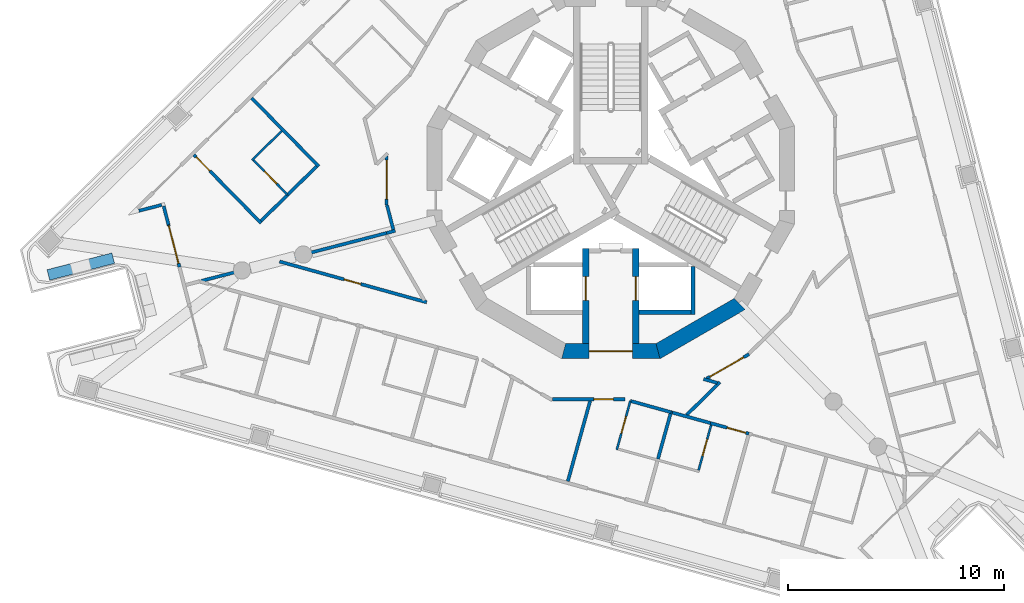
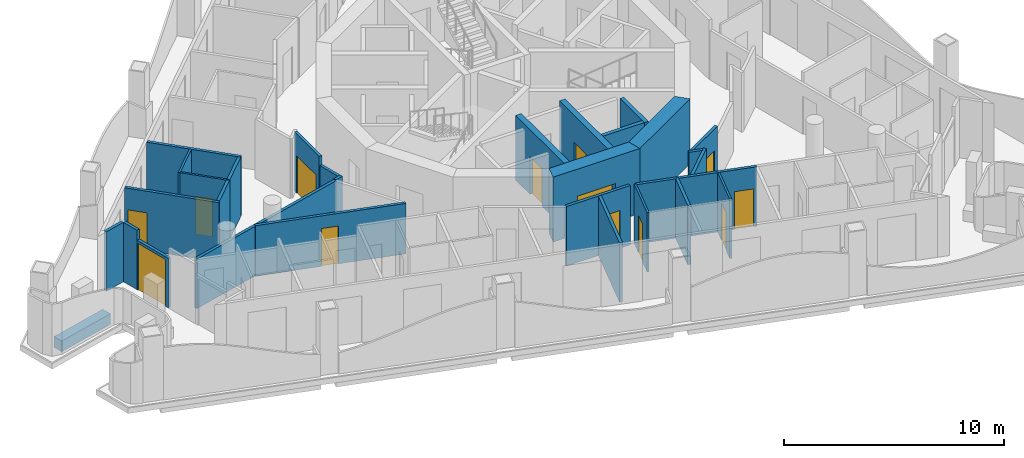
# One storey, part 3 of 15: 32 walls, 13 doors, 13 openings.
"""IFC4 building model written with IfcOpenShell, lengths in metres."""

from ifc_helpers import new_model, si_unit, direction, frame, frame_2d, origin, place, context, subcontext, project, spatial, polyline, rectangle, outline, extrude, material, layer, layer_set, type_object, element, fill, save


model = new_model("IFC4")

# Units and contexts
model_context = context("Model", 3, precision=1e-05, world=origin(), true_north=direction((0.0, 1.0)))
body_context = subcontext(model_context, "Body", "Model", "MODEL_VIEW")
ifc_project = project(units=[si_unit("LENGTHUNIT", "METRE"), si_unit("AREAUNIT", "SQUARE_METRE"), si_unit("VOLUMEUNIT", "CUBIC_METRE"), si_unit("PLANEANGLEUNIT", "RADIAN"), si_unit("MASSUNIT", "GRAM", prefix="KILO")], contexts=[model_context])

# Site, building, storey
site_placement = place(None, origin())
site = spatial("IfcSite", under=ifc_project, at=site_placement, CompositionType="ELEMENT")
building_placement = place(site_placement, origin())
building = spatial("IfcBuilding", under=site, at=building_placement, Name="Trine Commons Tower", CompositionType="ELEMENT")
storey_placement = place(building_placement, frame((0.0, 0.0, 256.5)))
storey = spatial("IfcBuildingStorey", under=building, at=storey_placement, Name="L67", CompositionType="ELEMENT", Elevation=256.5)

# Wall, opening, door
ifc_material_1 = material(Name="Aluminium-framed insulated wall panel", Category="aluminium")
ifc_layer_1 = layer(ifc_material_1, 0.14990234375)
ifc_layer_set_1 = layer_set([ifc_layer_1], Name="Aluminium-framed insulated wall panel")
wall_type_1 = type_object("IfcWallType", Name="Glazed frame wall 150, EI 60", PredefinedType="SOLIDWALL", material=ifc_layer_set_1)
wall_1_placement = place(storey_placement, frame((60.0390625, 58.2451171875, 0.0), z_axis=(0.0, 0.0, 1.0), x_axis=(-0.250341838346, 0.968157509899, 0.0)))
wall_1 = element("IfcWall", 1, at=wall_1_placement, inside=storey, type_object=wall_type_1, Name="Glazed frame wall P3.4", PredefinedType="SOLIDWALL", context=body_context, shape_type="SweptSolid", body=[
    extrude(outline(polyline([(0.0, -0.074951171875), (2.021484375, -0.074951171875), (2.021484375, 0.074951171875), (0.0, 0.074951171875), (0.0, -0.074951171875)])), origin(), (0.0, 0.0, 1.0), 2.75),
])
opening_1_placement = place(wall_1_placement, frame((0.17138671875, 0.0, 0.0)))
opening_1 = element("IfcOpeningElement", 2, at=opening_1_placement, cuts=wall_1, Name="Opening BD-7P3-02", PredefinedType="OPENING", context=body_context, shape_type="SweptSolid", body=[
    extrude(rectangle(XDim=1.800048828125, YDim=2.60009765625, at=frame_2d((0.89990234375, 1.300048828125))), frame((0.0, 0.0849609375, 0.0), z_axis=(0.0, -1.0, 0.0), x_axis=(1.0, 0.0, 0.0)), (0.0, 0.0, 1.0), 0.169921875),
])
ifc_material_2 = material(Name="Anodised aluminium frame with double glazing", Category="aluminium")
door_type_1 = type_object("IfcDoorType", Name="Sliding loggia door 1800x2600", OperationType="SLIDING_TO_LEFT", PredefinedType="DOOR", material=ifc_material_2)
door_1_placement = place(opening_1_placement, origin())
door_1 = element("IfcDoor", 3, at=door_1_placement, inside=storey, type_object=door_type_1, Name="Loggia door P3 2", OperationType="SLIDING_TO_LEFT", OverallHeight=2.60009765625, OverallWidth=1.800048828125, PredefinedType="DOOR", context=body_context, shape_type="SweptSolid", body=[
    extrude(rectangle(XDim=1.800048828125, YDim=2.60009765625, at=frame_2d((0.89990234375, 1.300048828125))), frame((0.0, 0.02490234375, 0.0), z_axis=(0.0, -1.0, 0.0), x_axis=(1.0, 0.0, 0.0)), (0.0, 0.0, 1.0), 0.050048828125),
])
fill(opening_1, door_1)

# Walls
wall_2_placement = place(storey_placement, frame((59.532958984375, 60.202392578125, 0.0), z_axis=(0.0, 0.0, 1.0), x_axis=(-0.250284169086, 0.968172419926, 0.0)))
element("IfcWall", 4, at=wall_2_placement, inside=storey, type_object=wall_type_1, Name="Glazed frame wall P3.5", PredefinedType="SOLIDWALL", context=body_context, shape_type="SweptSolid", body=[
    extrude(outline(polyline([(0.889892578125, 0.074951171875), (0.0, 0.074951171875), (0.0, -0.074951171875), (0.889892578125, -0.074951171875), (0.889892578125, 0.074951171875)])), origin(), (0.0, 0.0, 1.0), 3.300048828125),
])
wall_3_placement = place(storey_placement, frame((59.3251953125, 61.145263671875, 0.0), z_axis=(0.0, 0.0, 1.0), x_axis=(-0.968156774456, -0.250344682538, 0.0)))
element("IfcWall", 5, at=wall_3_placement, inside=storey, type_object=wall_type_1, Name="Glazed frame wall R12", PredefinedType="SOLIDWALL", context=body_context, shape_type="SweptSolid", body=[
    extrude(outline(polyline([(0.110107421875, 0.074951171875), (0.110107421875, -0.074951171875), (1.19580078125, -0.074951171875), (1.19580078125, 0.074951171875), (0.110107421875, 0.074951171875)])), origin(), (0.0, 0.0, 1.0), 3.300048828125),
])
ifc_material_3 = material(Name="Planter trough, precast concrete C40/50", Category="concrete")
ifc_layer_2 = layer(ifc_material_3, 0.5)
ifc_layer_set_2 = layer_set([ifc_layer_2], Name="Planter trough, precast concrete C40/50")
wall_type_2 = type_object("IfcWallType", Name="Planter trough 500x600", PredefinedType="PARAPET", material=ifc_layer_set_2)
wall_4_placement = place(storey_placement, frame((56.974609375, 58.65234375, 0.0), z_axis=(0.0, 0.0, 1.0), x_axis=(-0.968151190511, -0.250366276306, 0.0)))
element("IfcWall", 6, at=wall_4_placement, inside=storey, type_object=wall_type_2, Name="Planter 3", PredefinedType="PARAPET", context=body_context, shape_type="SweptSolid", body=[
    extrude(rectangle(XDim=3.099853515625, YDim=0.5, at=frame_2d((1.5498046875, 0.0))), origin(), (0.0, 0.0, 1.0), 0.60009765625),
])

# Wall, opening, door
ifc_material_4 = material(Name="Concrete C50/60", Category="concrete")
ifc_layer_3 = layer(ifc_material_4, 0.300048828125)
ifc_layer_set_3 = layer_set([ifc_layer_3], Name="Concrete C50/60")
wall_type_3 = type_object("IfcWallType", Name="RC shear wall 300 mm, C50/60", PredefinedType="SHEAR", material=ifc_layer_set_3)
wall_5_placement = place(storey_placement, frame((78.85009765625, 59.10009765625, 0.0), z_axis=(0.0, 0.0, 1.0), x_axis=(0.0, -1.0, 0.0)))
wall_5 = element("IfcWall", 7, at=wall_5_placement, inside=storey, type_object=wall_type_3, Name="Core cross wall SWC-03 L67", PredefinedType="SHEAR", context=body_context, shape_type="SweptSolid", body=[
    extrude(rectangle(XDim=4.400146484375, YDim=0.300048828125, at=frame_2d((2.2001953125, 0.0))), origin(), (0.0, 0.0, 1.0), 3.60009765625),
])
opening_2_placement = place(wall_5_placement, frame((1.300048828125, 0.0, 0.0)))
opening_2 = element("IfcOpeningElement", 8, at=opening_2_placement, cuts=wall_5, Name="Opening LD10", PredefinedType="OPENING", context=body_context, shape_type="SweptSolid", body=[
    extrude(rectangle(XDim=1.10009765625, YDim=2.10009765625, at=frame_2d((0.550048828125, 1.050048828125))), frame((0.0, 0.159912109375, 0.0), z_axis=(0.0, -1.0, 0.0), x_axis=(1.0, 0.0, 0.0)), (0.0, 0.0, 1.0), 0.320068359375),
])
ifc_material_5 = material(Name="Stainless steel sliding door leaves", Category="steel")
door_type_2 = type_object("IfcDoorType", Name="Lift landing door, centre-opening sliding 1100 x 2100, FD90", OperationType="DOUBLE_DOOR_SLIDING", PredefinedType="DOOR", material=ifc_material_5)
door_2_placement = place(opening_2_placement, origin())
door_2 = element("IfcDoor", 9, at=door_2_placement, inside=storey, type_object=door_type_2, Name="Lift landing door FF2 L67", OperationType="DOUBLE_DOOR_SLIDING", OverallHeight=2.10009765625, OverallWidth=1.10009765625, PredefinedType="DOOR", context=body_context, shape_type="SweptSolid", body=[
    extrude(rectangle(XDim=1.10009765625, YDim=2.10009765625, at=frame_2d((0.550048828125, 1.050048828125))), frame((0.0, 0.02490234375, 0.0), z_axis=(0.0, -1.0, 0.0), x_axis=(1.0, 0.0, 0.0)), (0.0, 0.0, 1.0), 0.050048828125),
])
fill(opening_2, door_2)

wall_6_placement = place(storey_placement, frame((81.14990234375, 59.10009765625, 0.0), z_axis=(0.0, 0.0, 1.0), x_axis=(0.0, -1.0, 0.0)))
wall_6 = element("IfcWall", 10, at=wall_6_placement, inside=storey, type_object=wall_type_3, Name="Core cross wall SWC-04 L67", PredefinedType="SHEAR", context=body_context, shape_type="SweptSolid", body=[
    extrude(rectangle(XDim=4.400146484375, YDim=0.300048828125, at=frame_2d((2.2001953125, 0.0))), origin(), (0.0, 0.0, 1.0), 3.60009765625),
])
opening_3_placement = place(wall_6_placement, frame((1.300048828125, 0.0, 0.0)))
opening_3 = element("IfcOpeningElement", 11, at=opening_3_placement, cuts=wall_6, Name="Opening LD9", PredefinedType="OPENING", context=body_context, shape_type="SweptSolid", body=[
    extrude(rectangle(XDim=1.10009765625, YDim=2.10009765625, at=frame_2d((0.550048828125, 1.050048828125))), frame((0.0, 0.159912109375, 0.0), z_axis=(0.0, -1.0, 0.0), x_axis=(1.0, 0.0, 0.0)), (0.0, 0.0, 1.0), 0.320068359375),
])
door_3_placement = place(opening_3_placement, origin())
door_3 = element("IfcDoor", 12, at=door_3_placement, inside=storey, type_object=door_type_2, Name="Lift landing door FF1 L67", OperationType="DOUBLE_DOOR_SLIDING", OverallHeight=2.10009765625, OverallWidth=1.10009765625, PredefinedType="DOOR", context=body_context, shape_type="SweptSolid", body=[
    extrude(rectangle(XDim=1.10009765625, YDim=2.10009765625, at=frame_2d((0.550048828125, 1.050048828125))), frame((0.0, 0.02490234375, 0.0), z_axis=(0.0, -1.0, 0.0), x_axis=(1.0, 0.0, 0.0)), (0.0, 0.0, 1.0), 0.050048828125),
])
fill(opening_3, door_3)

ifc_layer_4 = layer(ifc_material_4, 0.699951171875)
ifc_layer_set_4 = layer_set([ifc_layer_4], Name="Concrete C50/60")
wall_type_4 = type_object("IfcWallType", Name="RC shear wall 700 mm, C50/60", PredefinedType="SHEAR", material=ifc_layer_set_4)
wall_7_placement = place(storey_placement, frame((77.722412109375, 54.349853515625, 0.0), z_axis=(0.0, 0.0, 1.0), x_axis=(1.0, 0.0, 0.0)))
wall_7 = element("IfcWall", 13, at=wall_7_placement, inside=storey, type_object=wall_type_4, Name="Core wall CWG-10 L67", PredefinedType="SHEAR", context=body_context, shape_type="SweptSolid", body=[
    extrude(outline(polyline([(0.0, -0.35009765625), (4.55517578125, -0.35009765625), (4.36767578125, 0.35009765625), (0.1875, 0.35009765625), (0.0, -0.35009765625)])), origin(), (0.0, 0.0, 1.0), 3.60009765625),
])
opening_4_placement = place(wall_7_placement, frame((1.277587890625, 0.0, 0.0)))
opening_4 = element("IfcOpeningElement", 14, at=opening_4_placement, cuts=wall_7, Name="Opening K15.08", PredefinedType="OPENING", context=body_context, shape_type="SweptSolid", body=[
    extrude(rectangle(XDim=2.0, YDim=2.10009765625, at=frame_2d((1.0, 1.050048828125))), frame((0.0, 0.35986328125, 0.0), z_axis=(0.0, -1.0, 0.0), x_axis=(1.0, 0.0, 0.0)), (0.0, 0.0, 1.0), 0.719970703125),
])
ifc_material_6 = material(Name="Steel door leaves, fire-rated", Category="steel")
door_type_3 = type_object("IfcDoorType", Name="Lobby door, double leaf 2000 x 2100, FD60", OperationType="DOUBLE_DOOR_SINGLE_SWING", PredefinedType="DOOR", material=ifc_material_6)
door_4_placement = place(opening_4_placement, origin())
door_4 = element("IfcDoor", 15, at=door_4_placement, inside=storey, type_object=door_type_3, Name="Lobby door, Service and firefighting lobby L67", OperationType="DOUBLE_DOOR_SINGLE_SWING", OverallHeight=2.10009765625, OverallWidth=2.0, PredefinedType="DOOR", context=body_context, shape_type="SweptSolid", body=[
    extrude(rectangle(XDim=2.0, YDim=2.10009765625, at=frame_2d((1.0, 1.050048828125))), frame((0.0, 0.02490234375, 0.0), z_axis=(0.0, -1.0, 0.0), x_axis=(1.0, 0.0, 0.0)), (0.0, 0.0, 1.0), 0.050048828125),
])
fill(opening_4, door_4)

# Walls
wall_8_placement = place(storey_placement, frame((82.1025390625, 54.302978515625, 0.0), z_axis=(0.0, 0.0, 1.0), x_axis=(0.866034756103, 0.499983800959, 0.0)))
element("IfcWall", 16, at=wall_8_placement, inside=storey, type_object=wall_type_4, Name="Core wall CWG-11 L67", PredefinedType="SHEAR", context=body_context, shape_type="SweptSolid", body=[
    extrude(outline(polyline([(0.0, -0.35009765625), (4.55517578125, -0.35009765625), (4.36767578125, 0.35009765625), (0.1875, 0.35009765625), (0.0, -0.35009765625)])), origin(), (0.0, 0.0, 1.0), 3.60009765625),
])
ifc_material_7 = material(Name="Fire-rated gypsum shaft wall system")
ifc_layer_5 = layer(ifc_material_7, 0.199951171875)
ifc_layer_set_5 = layer_set([ifc_layer_5], Name="Fire-rated gypsum shaft wall system")
wall_type_5 = type_object("IfcWallType", Name="Shaft wall 200 mm, EI 120", PredefinedType="PARTITIONING", material=ifc_layer_set_5)
wall_9_placement = place(storey_placement, frame((81.300048828125, 56.14990234375, 0.0), z_axis=(0.0, 0.0, 1.0), x_axis=(1.0, 0.0, 0.0)))
element("IfcWall", 17, at=wall_9_placement, inside=storey, type_object=wall_type_5, Name="Shaft wall L67", PredefinedType="PARTITIONING", context=body_context, shape_type="SweptSolid", body=[
    extrude(rectangle(XDim=2.39990234375, YDim=0.199951171875, at=frame_2d((1.199951171875, 0.0))), origin(), (0.0, 0.0, 1.0), 3.300048828125),
])
wall_10_placement = place(storey_placement, frame((83.800048828125, 58.257080078125, 0.0), z_axis=(0.0, 0.0, 1.0), x_axis=(0.0, -1.0, 0.0)))
element("IfcWall", 18, at=wall_10_placement, inside=storey, type_object=wall_type_5, Name="Shaft wall L67", PredefinedType="PARTITIONING", context=body_context, shape_type="SweptSolid", body=[
    extrude(rectangle(XDim=2.20703125, YDim=0.199951171875, at=frame_2d((1.103515625, 0.0))), origin(), (0.0, 0.0, 1.0), 3.300048828125),
])

# Wall, opening, door
ifc_material_8 = material(Name="Gypsum plasterboard on steel stud", Category="steel")
ifc_layer_6 = layer(ifc_material_8, 0.14990234375)
ifc_layer_set_6 = layer_set([ifc_layer_6], Name="Gypsum plasterboard on steel stud")
wall_type_6 = type_object("IfcWallType", Name="Unit and corridor wall 150 mm, EI 60", PredefinedType="PARTITIONING", material=ifc_layer_set_6)
wall_11_placement = place(storey_placement, frame((60.7119140625, 63.4375, 0.0), z_axis=(0.0, 0.0, 1.0), x_axis=(0.700942148678, -0.713218132276, 0.0)))
wall_11 = element("IfcWall", 19, at=wall_11_placement, inside=storey, type_object=wall_type_6, Name="Partition 002", PredefinedType="PARTITIONING", context=body_context, shape_type="SweptSolid", body=[
    extrude(rectangle(XDim=4.43505859375, YDim=0.14990234375, at=frame_2d((2.217529296875, 0.0))), origin(), (0.0, 0.0, 1.0), 3.300048828125),
])
opening_5_placement = place(wall_11_placement, frame((0.14990234375, 0.0, 0.0)))
opening_5 = element("IfcOpeningElement", 20, at=opening_5_placement, cuts=wall_11, Name="Opening D-7C04", PredefinedType="OPENING", context=body_context, shape_type="SweptSolid", body=[
    extrude(rectangle(XDim=0.89990234375, YDim=2.10009765625, at=frame_2d((0.449951171875, 1.050048828125))), frame((0.0, 0.0849609375, 0.0), z_axis=(0.0, -1.0, 0.0), x_axis=(1.0, 0.0, 0.0)), (0.0, 0.0, 1.0), 0.169921875),
])
ifc_material_9 = material(Name="Timber fire door set", Category="wood")
door_type_4 = type_object("IfcDoorType", Name="Bedroom door 900 x 2100, FD30S", OperationType="NOTDEFINED", PredefinedType="DOOR", material=ifc_material_9)
door_5_placement = place(opening_5_placement, origin())
door_5 = element("IfcDoor", 21, at=door_5_placement, inside=storey, type_object=door_type_4, Name="Door D-7C04", OperationType="SINGLE_SWING_LEFT", OverallHeight=2.10009765625, OverallWidth=0.89990234375, PredefinedType="DOOR", context=body_context, shape_type="SweptSolid", body=[
    extrude(rectangle(XDim=0.89990234375, YDim=2.10009765625, at=frame_2d((0.449951171875, 1.050048828125))), frame((0.0, 0.02490234375, 0.0), z_axis=(0.0, -1.0, 0.0), x_axis=(1.0, 0.0, 0.0)), (0.0, 0.0, 1.0), 0.050048828125),
])
fill(opening_5, door_5)

# Walls
wall_12_placement = place(storey_placement, frame((61.043701171875, 57.597900390625, 0.0), z_axis=(0.0, 0.0, 1.0), x_axis=(0.968149558091, 0.25037258869, 0.0)))
element("IfcWall", 22, at=wall_12_placement, inside=storey, type_object=wall_type_6, Name="Partition 004", PredefinedType="PARTITIONING", context=body_context, shape_type="SweptSolid", body=[
    extrude(rectangle(XDim=8.86767578125, YDim=0.14990234375, at=frame_2d((4.433837890625, 0.0))), origin(), (0.0, 0.0, 1.0), 2.75),
])
wall_13_placement = place(storey_placement, frame((63.382080078125, 66.060546875, 0.0), z_axis=(0.0, 0.0, 1.0), x_axis=(0.700914144597, -0.713245653267, 0.0)))
element("IfcWall", 23, at=wall_13_placement, inside=storey, type_object=wall_type_6, Name="Partition 007", PredefinedType="PARTITIONING", context=body_context, shape_type="SweptSolid", body=[
    extrude(rectangle(XDim=4.434814453125, YDim=0.14990234375, at=frame_2d((2.21728515625, 0.0))), origin(), (0.0, 0.0, 1.0), 3.300048828125),
])
wall_14_placement = place(storey_placement, frame((63.821533203125, 60.380615234375, 0.0), z_axis=(0.0, 0.0, 1.0), x_axis=(0.713529170303, 0.700625522748, 0.0)))
element("IfcWall", 24, at=wall_14_placement, inside=storey, type_object=wall_type_6, Name="Partition 011", PredefinedType="PARTITIONING", context=body_context, shape_type="SweptSolid", body=[
    extrude(rectangle(XDim=1.7216796875, YDim=0.14990234375, at=frame_2d((0.86083984375, 0.0))), origin(), (0.0, 0.0, 1.0), 3.300048828125),
])

# Wall, opening, door
wall_15_placement = place(storey_placement, frame((64.67333984375, 58.498046875, 0.0), z_axis=(0.0, 0.0, 1.0), x_axis=(0.963632187737, -0.267232121491, 0.0)))
wall_15 = element("IfcWall", 25, at=wall_15_placement, inside=storey, type_object=wall_type_6, Name="Partition 015", PredefinedType="PARTITIONING", context=body_context, shape_type="SweptSolid", body=[
    extrude(rectangle(XDim=7.064697265625, YDim=0.14990234375, at=frame_2d((3.5322265625, 0.0))), origin(), (0.0, 0.0, 1.0), 2.800048828125),
])
opening_6_placement = place(wall_15_placement, frame((3.094970703125, 0.0, 0.0)))
opening_6 = element("IfcOpeningElement", 26, at=opening_6_placement, cuts=wall_15, Name="Opening D-7C27", PredefinedType="OPENING", context=body_context, shape_type="SweptSolid", body=[
    extrude(rectangle(XDim=0.800048828125, YDim=2.10009765625, at=frame_2d((0.39990234375, 1.050048828125))), frame((0.0, 0.0849609375, 0.0), z_axis=(0.0, -1.0, 0.0), x_axis=(1.0, 0.0, 0.0)), (0.0, 0.0, 1.0), 0.169921875),
])
ifc_material_10 = material(Name="Painted timber", Category="wood")
door_type_5 = type_object("IfcDoorType", Name="Toilet door 800 x 2100, NOT RATED", OperationType="NOTDEFINED", PredefinedType="DOOR", material=ifc_material_10)
door_6_placement = place(opening_6_placement, origin())
door_6 = element("IfcDoor", 27, at=door_6_placement, inside=storey, type_object=door_type_5, Name="Door D-7C27", OperationType="SINGLE_SWING_LEFT", OverallHeight=2.10009765625, OverallWidth=0.800048828125, PredefinedType="DOOR", context=body_context, shape_type="SweptSolid", body=[
    extrude(rectangle(XDim=0.800048828125, YDim=2.10009765625, at=frame_2d((0.39990234375, 1.050048828125))), frame((0.0, 0.02490234375, 0.0), z_axis=(0.0, -1.0, 0.0), x_axis=(1.0, 0.0, 0.0)), (0.0, 0.0, 1.0), 0.050048828125),
])
fill(opening_6, door_6)

# Walls
wall_16_placement = place(storey_placement, frame((65.0439453125, 61.5810546875, 0.0), z_axis=(0.0, 0.0, 1.0), x_axis=(0.713249843404, 0.700909880715, 0.0)))
element("IfcWall", 28, at=wall_16_placement, inside=storey, type_object=wall_type_6, Name="Partition 016", PredefinedType="PARTITIONING", context=body_context, shape_type="SweptSolid", body=[
    extrude(rectangle(XDim=1.879638671875, YDim=0.14990234375, at=frame_2d((0.93994140625, 0.0))), origin(), (0.0, 0.0, 1.0), 3.300048828125),
])
wall_17_placement = place(storey_placement, frame((69.625, 59.81689453125, 0.0), z_axis=(0.0, 0.0, 1.0), x_axis=(0.968355193071, 0.249576080688, 0.0)))
element("IfcWall", 29, at=wall_17_placement, inside=storey, type_object=wall_type_6, Name="Partition 031", PredefinedType="PARTITIONING", context=body_context, shape_type="SweptSolid", body=[
    extrude(rectangle(XDim=0.415771484375, YDim=0.14990234375, at=frame_2d((0.2080078125, 0.0))), origin(), (0.0, 0.0, 1.0), 2.800048828125),
])

# Wall, opening, door
wall_18_placement = place(storey_placement, frame((69.625, 61.10498046875, 0.0), z_axis=(0.0, 0.0, 1.0), x_axis=(0.0, 1.0, 0.0)))
wall_18 = element("IfcWall", 30, at=wall_18_placement, inside=storey, type_object=wall_type_6, Name="Partition 032", PredefinedType="PARTITIONING", context=body_context, shape_type="SweptSolid", body=[
    extrude(rectangle(XDim=2.27197265625, YDim=0.14990234375, at=frame_2d((1.135986328125, 0.0))), origin(), (0.0, 0.0, 1.0), 3.300048828125),
])
opening_7_placement = place(wall_18_placement, frame((0.28271484375, 0.0, 0.0)))
opening_7 = element("IfcOpeningElement", 31, at=opening_7_placement, cuts=wall_18, Name="Opening D-7C03", PredefinedType="OPENING", context=body_context, shape_type="SweptSolid", body=[
    extrude(rectangle(XDim=1.800048828125, YDim=2.10009765625, at=frame_2d((0.89990234375, 1.050048828125))), frame((0.0, 0.0849609375, 0.0), z_axis=(0.0, -1.0, 0.0), x_axis=(1.0, 0.0, 0.0)), (0.0, 0.0, 1.0), 0.169921875),
])
door_type_6 = type_object("IfcDoorType", Name="Cluster entrance door 1800 x 2100, double leaf, FD30S", OperationType="DOUBLE_DOOR_DOUBLE_SWING", PredefinedType="DOOR", material=ifc_material_9)
door_7_placement = place(opening_7_placement, origin())
door_7 = element("IfcDoor", 32, at=door_7_placement, inside=storey, type_object=door_type_6, Name="Door D-7C03", OperationType="DOUBLE_DOOR_DOUBLE_SWING", OverallHeight=2.10009765625, OverallWidth=1.800048828125, PredefinedType="DOOR", context=body_context, shape_type="SweptSolid", body=[
    extrude(rectangle(XDim=1.800048828125, YDim=2.10009765625, at=frame_2d((0.89990234375, 1.050048828125))), frame((0.0, 0.02490234375, 0.0), z_axis=(0.0, -1.0, 0.0), x_axis=(1.0, 0.0, 0.0)), (0.0, 0.0, 1.0), 0.050048828125),
])
fill(opening_7, door_7)

# Wall
wall_19_placement = place(storey_placement, frame((69.643798828125, 61.107421875, 0.0), z_axis=(0.0, 0.0, 1.0), x_axis=(0.249991617467, -0.968248000874, 0.0)))
element("IfcWall", 33, at=wall_19_placement, inside=storey, type_object=wall_type_6, Name="Partition 033", PredefinedType="PARTITIONING", context=body_context, shape_type="SweptSolid", body=[
    extrude(rectangle(XDim=1.169921875, YDim=0.14990234375, at=frame_2d((0.5849609375, 0.0))), origin(), (0.0, 0.0, 1.0), 2.800048828125),
])

# Wall, opening, door
wall_20_placement = place(storey_placement, frame((77.294921875, 52.125, 0.0), z_axis=(0.0, 0.0, 1.0), x_axis=(1.0, 0.0, 0.0)))
wall_20 = element("IfcWall", 34, at=wall_20_placement, inside=storey, type_object=wall_type_6, Name="Partition 051", PredefinedType="PARTITIONING", context=body_context, shape_type="SweptSolid", body=[
    extrude(rectangle(XDim=3.35595703125, YDim=0.14990234375, at=frame_2d((1.677978515625, 0.0))), origin(), (0.0, 0.0, 1.0), 3.300048828125),
])
opening_8_placement = place(wall_20_placement, frame((1.919921875, 0.0, 0.0)))
opening_8 = element("IfcOpeningElement", 35, at=opening_8_placement, cuts=wall_20, Name="Opening D-7C21", PredefinedType="OPENING", context=body_context, shape_type="SweptSolid", body=[
    extrude(rectangle(XDim=0.89990234375, YDim=2.10009765625, at=frame_2d((0.449951171875, 1.050048828125))), frame((0.0, 0.0849609375, 0.0), z_axis=(0.0, -1.0, 0.0), x_axis=(1.0, 0.0, 0.0)), (0.0, 0.0, 1.0), 0.169921875),
])
door_8_placement = place(opening_8_placement, frame((0.89990234375, 0.0, 0.0), z_axis=(0.0, 0.0, 1.0), x_axis=(-1.0, 0.0, 0.0)))
door_8 = element("IfcDoor", 36, at=door_8_placement, inside=storey, type_object=door_type_4, Name="Door D-7C21", OperationType="SINGLE_SWING_LEFT", OverallHeight=2.10009765625, OverallWidth=0.89990234375, PredefinedType="DOOR", context=body_context, shape_type="SweptSolid", body=[
    extrude(rectangle(XDim=0.89990234375, YDim=2.10009765625, at=frame_2d((0.449951171875, 1.050048828125))), frame((0.0, 0.02490234375, 0.0), z_axis=(0.0, -1.0, 0.0), x_axis=(1.0, 0.0, 0.0)), (0.0, 0.0, 1.0), 0.050048828125),
])
fill(opening_8, door_8)

# Walls
wall_21_placement = place(storey_placement, frame((78.01171875, 48.32861328125, 0.0), z_axis=(0.0, 0.0, 1.0), x_axis=(0.267337590954, 0.963602932988, 0.0)))
element("IfcWall", 37, at=wall_21_placement, inside=storey, type_object=wall_type_6, Name="Partition 052", PredefinedType="PARTITIONING", context=body_context, shape_type="SweptSolid", body=[
    extrude(rectangle(XDim=3.86474609375, YDim=0.14990234375, at=frame_2d((1.932373046875, 0.0))), origin(), (0.0, 0.0, 1.0), 3.300048828125),
])
wall_22_placement = place(storey_placement, frame((80.90087890625, 52.049072265625, 0.0), z_axis=(0.0, 0.0, 1.0), x_axis=(0.963617907418, -0.267283610613, 0.0)))
element("IfcWall", 38, at=wall_22_placement, inside=storey, type_object=wall_type_6, Name="Partition 061", PredefinedType="PARTITIONING", context=body_context, shape_type="SweptSolid", body=[
    extrude(rectangle(XDim=1.95751953125, YDim=0.14990234375, at=frame_2d((0.978759765625, 0.0))), origin(), (0.0, 0.0, 1.0), 3.300048828125),
])
wall_23_placement = place(storey_placement, frame((82.182373046875, 49.361083984375, 0.0), z_axis=(0.0, 0.0, 1.0), x_axis=(0.267459715807, 0.963569042892, 0.0)))
element("IfcWall", 39, at=wall_23_placement, inside=storey, type_object=wall_type_6, Name="Partition 064", PredefinedType="PARTITIONING", context=body_context, shape_type="SweptSolid", body=[
    extrude(rectangle(XDim=2.324951171875, YDim=0.14990234375, at=frame_2d((1.16259765625, 0.0))), origin(), (0.0, 0.0, 1.0), 3.300048828125),
])
wall_24_placement = place(storey_placement, frame((82.852294921875, 51.508056640625, 0.0), z_axis=(0.0, 0.0, 1.0), x_axis=(0.963942160186, -0.266111840805, 0.0)))
element("IfcWall", 40, at=wall_24_placement, inside=storey, type_object=wall_type_6, Name="Partition 067", PredefinedType="PARTITIONING", context=body_context, shape_type="SweptSolid", body=[
    extrude(rectangle(XDim=1.882568359375, YDim=0.14990234375, at=frame_2d((0.94140625, 0.0))), origin(), (0.0, 0.0, 1.0), 3.300048828125),
])
wall_25_placement = place(storey_placement, frame((83.506591796875, 51.3955078125, 0.0), z_axis=(0.0, 0.0, 1.0), x_axis=(0.712824796749, 0.701342148412, 0.0)))
element("IfcWall", 41, at=wall_25_placement, inside=storey, type_object=wall_type_6, Name="Partition 069", PredefinedType="PARTITIONING", context=body_context, shape_type="SweptSolid", body=[
    extrude(rectangle(XDim=2.168701171875, YDim=0.14990234375, at=frame_2d((1.08447265625, 0.0))), origin(), (0.0, 0.0, 1.0), 3.300048828125),
])
wall_26_placement = place(storey_placement, frame((84.290771484375, 53.058837890625, 0.0), z_axis=(0.0, 0.0, 1.0), x_axis=(0.964146228047, -0.265371533785, 0.0)))
element("IfcWall", 42, at=wall_26_placement, inside=storey, type_object=wall_type_6, Name="Partition 074", PredefinedType="PARTITIONING", context=body_context, shape_type="SweptSolid", body=[
    extrude(rectangle(XDim=0.65966796875, YDim=0.14990234375, at=frame_2d((0.329833984375, 0.0))), origin(), (0.0, 0.0, 1.0), 3.300048828125),
])

# Wall, opening, door
wall_27_placement = place(storey_placement, frame((84.427978515625, 53.076416015625, 0.0), z_axis=(0.0, 0.0, 1.0), x_axis=(0.866072877359, 0.499917764341, 0.0)))
wall_27 = element("IfcWall", 43, at=wall_27_placement, inside=storey, type_object=wall_type_6, Name="Partition 075", PredefinedType="PARTITIONING", context=body_context, shape_type="SweptSolid", body=[
    extrude(rectangle(XDim=2.2724609375, YDim=0.14990234375, at=frame_2d((1.13623046875, 0.0))), origin(), (0.0, 0.0, 1.0), 3.300048828125),
])
opening_9_placement = place(wall_27_placement, frame((0.188720703125, 0.0, 0.0)))
opening_9 = element("IfcOpeningElement", 44, at=opening_9_placement, cuts=wall_27, Name="Opening D-7C02", PredefinedType="OPENING", context=body_context, shape_type="SweptSolid", body=[
    extrude(rectangle(XDim=1.800048828125, YDim=2.10009765625, at=frame_2d((0.89990234375, 1.050048828125))), frame((0.0, 0.0849609375, 0.0), z_axis=(0.0, -1.0, 0.0), x_axis=(1.0, 0.0, 0.0)), (0.0, 0.0, 1.0), 0.169921875),
])
door_9_placement = place(opening_9_placement, frame((1.800048828125, 0.0, 0.0), z_axis=(0.0, 0.0, 1.0), x_axis=(-1.0, 0.0, 0.0)))
door_9 = element("IfcDoor", 45, at=door_9_placement, inside=storey, type_object=door_type_6, Name="Door D-7C02", OperationType="DOUBLE_DOOR_DOUBLE_SWING", OverallHeight=2.10009765625, OverallWidth=1.800048828125, PredefinedType="DOOR", context=body_context, shape_type="SweptSolid", body=[
    extrude(rectangle(XDim=1.800048828125, YDim=2.10009765625, at=frame_2d((0.89990234375, 1.050048828125))), frame((0.0, 0.02490234375, 0.0), z_axis=(0.0, -1.0, 0.0), x_axis=(1.0, 0.0, 0.0)), (0.0, 0.0, 1.0), 0.050048828125),
])
fill(opening_9, door_9)

wall_28_placement = place(storey_placement, frame((84.61083984375, 51.0224609375, 0.0), z_axis=(0.0, 0.0, 1.0), x_axis=(0.963673001046, -0.267084906077, 0.0)))
wall_28 = element("IfcWall", 46, at=wall_28_placement, inside=storey, type_object=wall_type_6, Name="Partition 076", PredefinedType="PARTITIONING", context=body_context, shape_type="SweptSolid", body=[
    extrude(rectangle(XDim=1.847412109375, YDim=0.14990234375, at=frame_2d((0.923828125, 0.0))), origin(), (0.0, 0.0, 1.0), 3.300048828125),
])
opening_10_placement = place(wall_28_placement, frame((0.79736328125, 0.0, 0.0)))
opening_10 = element("IfcOpeningElement", 47, at=opening_10_placement, cuts=wall_28, Name="Opening D-7C20", PredefinedType="OPENING", context=body_context, shape_type="SweptSolid", body=[
    extrude(rectangle(XDim=0.89990234375, YDim=2.10009765625, at=frame_2d((0.449951171875, 1.050048828125))), frame((0.0, 0.0849609375, 0.0), z_axis=(0.0, -1.0, 0.0), x_axis=(1.0, 0.0, 0.0)), (0.0, 0.0, 1.0), 0.169921875),
])
door_10_placement = place(opening_10_placement, frame((0.89990234375, 0.0, 0.0), z_axis=(0.0, 0.0, 1.0), x_axis=(-1.0, 0.0, 0.0)))
door_10 = element("IfcDoor", 48, at=door_10_placement, inside=storey, type_object=door_type_4, Name="Door D-7C20", OperationType="SINGLE_SWING_LEFT", OverallHeight=2.10009765625, OverallWidth=0.89990234375, PredefinedType="DOOR", context=body_context, shape_type="SweptSolid", body=[
    extrude(rectangle(XDim=0.89990234375, YDim=2.10009765625, at=frame_2d((0.449951171875, 1.050048828125))), frame((0.0, 0.02490234375, 0.0), z_axis=(0.0, -1.0, 0.0), x_axis=(1.0, 0.0, 0.0)), (0.0, 0.0, 1.0), 0.050048828125),
])
fill(opening_10, door_10)

# Wall
ifc_layer_7 = layer(ifc_material_8, 0.10009765625)
ifc_layer_set_7 = layer_set([ifc_layer_7], Name="Gypsum plasterboard on steel stud")
wall_type_7 = type_object("IfcWallType", Name="Unit partition 100 mm, no rating", PredefinedType="PARTITIONING", material=ifc_layer_set_7)
wall_29_placement = place(storey_placement, frame((63.3994140625, 63.18994140625, 0.0), z_axis=(0.0, 0.0, 1.0), x_axis=(0.713235134447, 0.700924848319, 0.0)))
element("IfcWall", 49, at=wall_29_placement, inside=storey, type_object=wall_type_7, Name="Partition 008", PredefinedType="PARTITIONING", context=body_context, shape_type="SweptSolid", body=[
    extrude(rectangle(XDim=1.923828125, YDim=0.10009765625, at=frame_2d((0.9619140625, 0.0))), origin(), (0.0, 0.0, 1.0), 3.300048828125),
])

# Wall, opening, door
wall_30_placement = place(storey_placement, frame((63.469970703125, 63.189208984375, 0.0), z_axis=(0.0, 0.0, 1.0), x_axis=(0.700841127081, -0.713317401015, 0.0)))
wall_30 = element("IfcWall", 50, at=wall_30_placement, inside=storey, type_object=wall_type_7, Name="Partition 009", PredefinedType="PARTITIONING", context=body_context, shape_type="SweptSolid", body=[
    extrude(rectangle(XDim=2.250244140625, YDim=0.10009765625, at=frame_2d((1.125, 0.0))), origin(), (0.0, 0.0, 1.0), 3.300048828125),
])
opening_11_placement = place(wall_30_placement, frame((0.72509765625, 0.0, 0.0)))
opening_11 = element("IfcOpeningElement", 51, at=opening_11_placement, cuts=wall_30, Name="Opening D-7C29", PredefinedType="OPENING", context=body_context, shape_type="SweptSolid", body=[
    extrude(rectangle(XDim=0.800048828125, YDim=2.10009765625, at=frame_2d((0.39990234375, 1.050048828125))), frame((0.0, 0.06005859375, 0.0), z_axis=(0.0, -1.0, 0.0), x_axis=(1.0, 0.0, 0.0)), (0.0, 0.0, 1.0), 0.1201171875),
])
door_type_7 = type_object("IfcDoorType", Name="Internal door 800 x 2100, NOT RATED", OperationType="NOTDEFINED", PredefinedType="DOOR", material=ifc_material_10)
door_11_placement = place(opening_11_placement, frame((0.800048828125, 0.0, 0.0), z_axis=(0.0, 0.0, 1.0), x_axis=(-1.0, 0.0, 0.0)))
door_11 = element("IfcDoor", 52, at=door_11_placement, inside=storey, type_object=door_type_7, Name="Door D-7C29", OperationType="SINGLE_SWING_RIGHT", OverallHeight=2.10009765625, OverallWidth=0.800048828125, PredefinedType="DOOR", context=body_context, shape_type="SweptSolid", body=[
    extrude(rectangle(XDim=0.800048828125, YDim=2.10009765625, at=frame_2d((0.39990234375, 1.050048828125))), frame((0.0, 0.02490234375, 0.0), z_axis=(0.0, -1.0, 0.0), x_axis=(1.0, 0.0, 0.0)), (0.0, 0.0, 1.0), 0.050048828125),
])
fill(opening_11, door_11)

wall_31_placement = place(storey_placement, frame((80.276611328125, 49.785888671875, 0.0), z_axis=(0.0, 0.0, 1.0), x_axis=(0.26744022448, 0.963574452925, 0.0)))
wall_31 = element("IfcWall", 53, at=wall_31_placement, inside=storey, type_object=wall_type_7, Name="Partition 058", PredefinedType="PARTITIONING", context=body_context, shape_type="SweptSolid", body=[
    extrude(rectangle(XDim=2.349853515625, YDim=0.10009765625, at=frame_2d((1.1748046875, 0.0))), origin(), (0.0, 0.0, 1.0), 3.300048828125),
])
opening_12_placement = place(wall_31_placement, frame((0.7998046875, 0.0, 0.0)))
opening_12 = element("IfcOpeningElement", 54, at=opening_12_placement, cuts=wall_31, Name="Opening D-7C42", PredefinedType="OPENING", context=body_context, shape_type="SweptSolid", body=[
    extrude(rectangle(XDim=0.800048828125, YDim=2.10009765625, at=frame_2d((0.39990234375, 1.050048828125))), frame((0.0, 0.06005859375, 0.0), z_axis=(0.0, -1.0, 0.0), x_axis=(1.0, 0.0, 0.0)), (0.0, 0.0, 1.0), 0.1201171875),
])
door_12_placement = place(opening_12_placement, origin())
door_12 = element("IfcDoor", 55, at=door_12_placement, inside=storey, type_object=door_type_7, Name="Door D-7C42", OperationType="SINGLE_SWING_RIGHT", OverallHeight=2.10009765625, OverallWidth=0.800048828125, PredefinedType="DOOR", context=body_context, shape_type="SweptSolid", body=[
    extrude(rectangle(XDim=0.800048828125, YDim=2.10009765625, at=frame_2d((0.39990234375, 1.050048828125))), frame((0.0, 0.02490234375, 0.0), z_axis=(0.0, -1.0, 0.0), x_axis=(1.0, 0.0, 0.0)), (0.0, 0.0, 1.0), 0.050048828125),
])
fill(opening_12, door_12)

wall_32_placement = place(storey_placement, frame((84.061279296875, 48.840087890625, 0.0), z_axis=(0.0, 0.0, 1.0), x_axis=(0.26738911175, 0.96358863781, 0.0)))
wall_32 = element("IfcWall", 56, at=wall_32_placement, inside=storey, type_object=wall_type_7, Name="Partition 072", PredefinedType="PARTITIONING", context=body_context, shape_type="SweptSolid", body=[
    extrude(rectangle(XDim=2.1748046875, YDim=0.10009765625, at=frame_2d((1.08740234375, 0.0))), origin(), (0.0, 0.0, 1.0), 3.300048828125),
])
opening_13_placement = place(wall_32_placement, frame((0.6875, 0.0, 0.0)))
opening_13 = element("IfcOpeningElement", 57, at=opening_13_placement, cuts=wall_32, Name="Opening D-7C41", PredefinedType="OPENING", context=body_context, shape_type="SweptSolid", body=[
    extrude(rectangle(XDim=0.800048828125, YDim=2.10009765625, at=frame_2d((0.39990234375, 1.050048828125))), frame((0.0, 0.06005859375, 0.0), z_axis=(0.0, -1.0, 0.0), x_axis=(1.0, 0.0, 0.0)), (0.0, 0.0, 1.0), 0.1201171875),
])
door_13_placement = place(opening_13_placement, frame((0.800048828125, 0.0, 0.0), z_axis=(0.0, 0.0, 1.0), x_axis=(-1.0, 0.0, 0.0)))
door_13 = element("IfcDoor", 58, at=door_13_placement, inside=storey, type_object=door_type_7, Name="Door D-7C41", OperationType="SINGLE_SWING_LEFT", OverallHeight=2.10009765625, OverallWidth=0.800048828125, PredefinedType="DOOR", context=body_context, shape_type="SweptSolid", body=[
    extrude(rectangle(XDim=0.800048828125, YDim=2.10009765625, at=frame_2d((0.39990234375, 1.050048828125))), frame((0.0, 0.02490234375, 0.0), z_axis=(0.0, -1.0, 0.0), x_axis=(1.0, 0.0, 0.0)), (0.0, 0.0, 1.0), 0.050048828125),
])
fill(opening_13, door_13)

save(model, "model.ifc")
